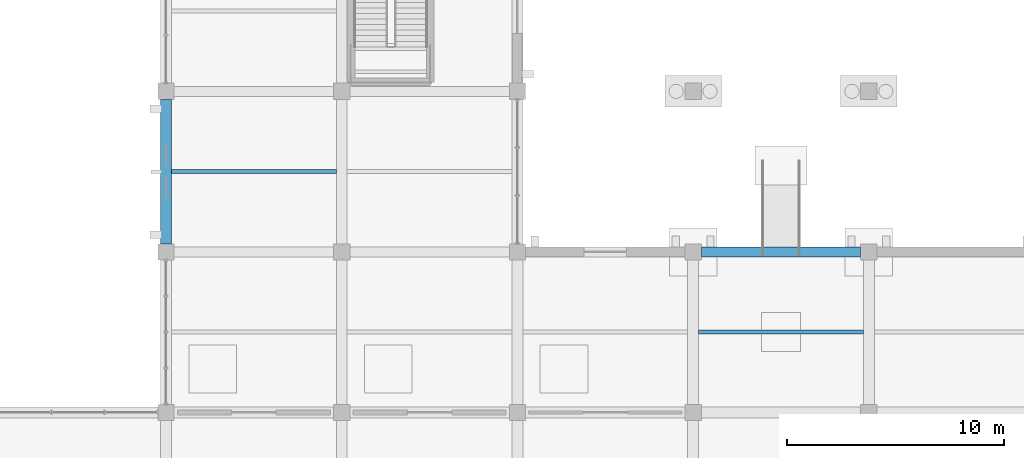
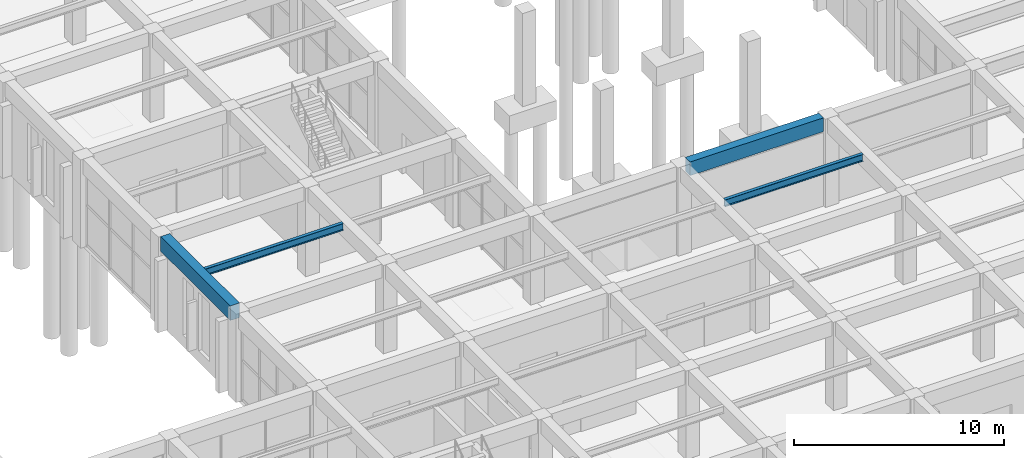
# One storey, part 21 of 140: 4 beams.
"""IFC4 building model written with IfcOpenShell, lengths in metres."""

from ifc_helpers import new_model, si_unit, direction, frame, origin, origin_2d, place, context, subcontext, project, spatial, rectangle, i_section, extrude, material, material_profile, profile_set, type_object, element, save


model = new_model("IFC4")

# Units and contexts
model_context = context("Model", 3, precision=1e-05, world=origin(), true_north=direction((0.0, 1.0)))
body_context = subcontext(model_context, "Body", "Model", "MODEL_VIEW")
ifc_project = project(units=[si_unit("LENGTHUNIT", "METRE"), si_unit("AREAUNIT", "SQUARE_METRE"), si_unit("VOLUMEUNIT", "CUBIC_METRE"), si_unit("PLANEANGLEUNIT", "RADIAN"), si_unit("MASSUNIT", "GRAM", prefix="KILO")], contexts=[model_context])

# Site, building, storey
site_placement = place(None, origin())
site = spatial("IfcSite", under=ifc_project, at=site_placement, CompositionType="ELEMENT")
building_placement = place(site_placement, origin())
building = spatial("IfcBuilding", under=site, at=building_placement, Name="Cimatlan Art Gallery", CompositionType="ELEMENT")
storey_placement = place(building_placement, origin())
storey = spatial("IfcBuildingStorey", under=building, at=storey_placement, Name="L00", CompositionType="ELEMENT", Elevation=0.0)

# Beams
ifc_material_1 = material(Name="Concrete C40/50", Category="concrete")
ifc_material_profile_1 = material_profile(ifc_material_1, rectangle(XDim=0.449951171875, YDim=0.800048828125, at=origin_2d()), Name="RC450X800")
ifc_profile_set_1 = profile_set([ifc_material_profile_1], Name="Concrete C40/50")
beam_type_1 = type_object("IfcBeamType", Name="BM-RC-450X800", PredefinedType="BEAM", material=ifc_profile_set_1)
beam_1_placement = place(storey_placement, frame((59.074951171875, 46.10009765625, 4.735107421875), z_axis=(1.0, 0.0, 0.0), x_axis=(0.0, 1.0, 0.0)))
element("IfcBeam", 1, at=beam_1_placement, inside=storey, type_object=beam_type_1, Name="BM-X-L00-07-06", PredefinedType="BEAM", context=body_context, shape_type="SweptSolid", body=[
    extrude(rectangle(XDim=0.449951171875, YDim=0.800048828125, at=origin_2d()), origin(), (0.0, 0.0, 1.0), 7.35009765625),
])
ifc_material_profile_2 = material_profile(ifc_material_1, rectangle(XDim=0.5, YDim=0.85009765625, at=origin_2d()), Name="RC500X850")
ifc_profile_set_2 = profile_set([ifc_material_profile_2], Name="Concrete C40/50")
beam_type_2 = type_object("IfcBeamType", Name="BM-RC-500X850", PredefinedType="BEAM", material=ifc_profile_set_2)
beam_2_placement = place(storey_placement, frame((34.39990234375, 46.47509765625, 4.7099609375), z_axis=(0.0, 1.0, 0.0), x_axis=(-1.0, 0.0, 0.0)))
element("IfcBeam", 2, at=beam_2_placement, inside=storey, type_object=beam_type_2, Name="BM-Y-L00-04-06", PredefinedType="BEAM", context=body_context, shape_type="SweptSolid", body=[
    extrude(rectangle(XDim=0.5, YDim=0.85009765625, at=origin_2d()), origin(), (0.0, 0.0, 1.0), 6.64990234375),
])
ifc_material_2 = material(Name="Steel ASTM A992 Grade 50", Category="steel")
ifc_material_profile_3 = material_profile(ifc_material_2, i_section(OverallWidth=0.177978515625, OverallDepth=0.406982421875, WebThickness=0.0078125, FlangeThickness=0.0126953125, at=origin_2d()), Name="W16X40")
ifc_profile_set_3 = profile_set([ifc_material_profile_3], Name="Steel ASTM A992 Grade 50")
beam_type_3 = type_object("IfcBeamType", Name="BM-STL-W16X40", PredefinedType="JOIST", material=ifc_profile_set_3)
for number, where, z_axis, x_axis, name in (
    (3, (34.64990234375, 49.800048828125, 4.931396484375), (1.0, 0.0, 0.0), (0.0, 1.0, 0.0), "JST-L00-04-06"),
    (4, (58.949951171875, 42.39990234375, 4.931396484375), (1.0, 0.0, 0.0), (0.0, 1.0, 0.0), "JST-L00-07-05"),
):
    element("IfcBeam", number, at=place(storey_placement, frame(where, z_axis=z_axis, x_axis=x_axis)), inside=storey, type_object=beam_type_3, Name=name, PredefinedType="JOIST", context=body_context, shape_type="SweptSolid", body=[
        extrude(i_section(OverallWidth=0.177978515625, OverallDepth=0.406982421875, WebThickness=0.0078125, FlangeThickness=0.0126953125, at=origin_2d()), origin(), (0.0, 0.0, 1.0), 7.60009765625),
    ])

save(model, "model.ifc")
